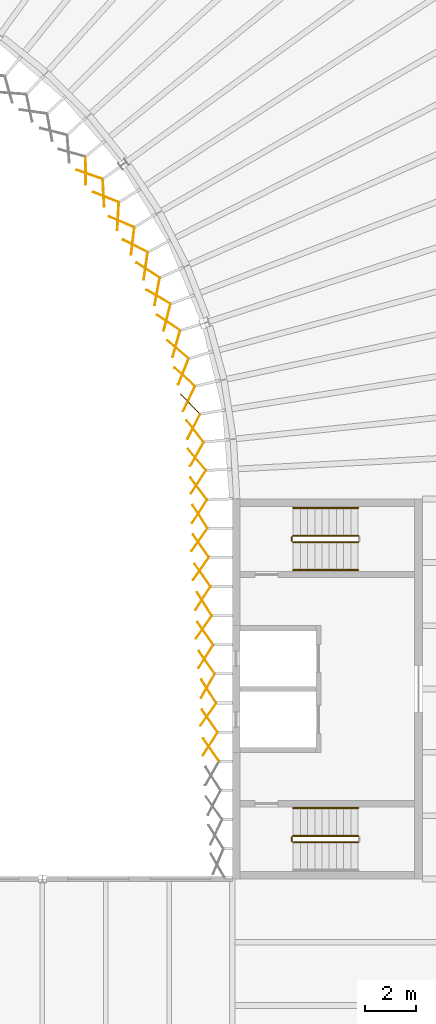
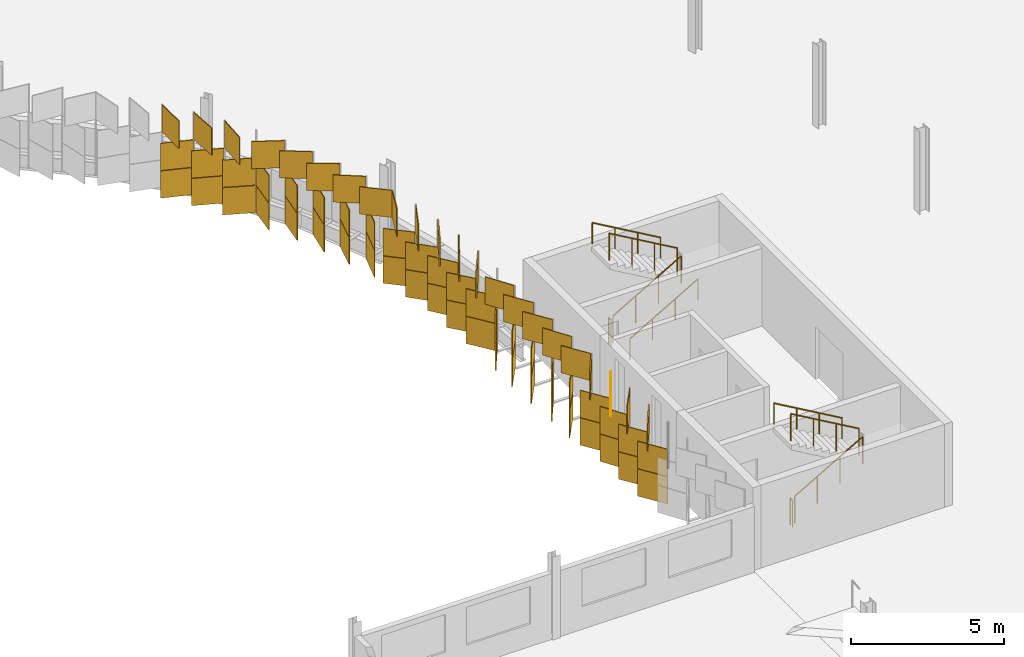
# One storey, part 190 of 198: 66 coverings, 9 railings.
"""IFC4 building model written with IfcOpenShell, lengths in metres."""

from ifc_helpers import new_model, si_unit, direction, frame, origin, origin_2d, place, context, subcontext, project, spatial, rectangle, circle, extrude, material, layer, layer_set, type_object, element, save


model = new_model("IFC4")

# Units and contexts
model_context = context("Model", 3, precision=1e-05, world=origin(), true_north=direction((0.0, 1.0)))
body_context = subcontext(model_context, "Body", "Model", "MODEL_VIEW")
ifc_project = project(units=[si_unit("LENGTHUNIT", "METRE"), si_unit("AREAUNIT", "SQUARE_METRE"), si_unit("VOLUMEUNIT", "CUBIC_METRE"), si_unit("PLANEANGLEUNIT", "RADIAN"), si_unit("MASSUNIT", "GRAM", prefix="KILO")], contexts=[model_context])

# Site, building, storey
site_placement = place(None, origin())
site = spatial("IfcSite", under=ifc_project, at=site_placement, CompositionType="ELEMENT")
building_placement = place(site_placement, origin())
building = spatial("IfcBuilding", under=site, at=building_placement, Name="Parallax Yard Mobility Hub", CompositionType="ELEMENT")
storey_placement = place(building_placement, frame((0.0, 0.0, 6.60009765625)))
storey = spatial("IfcBuildingStorey", under=building, at=storey_placement, Name="L02", CompositionType="ELEMENT", Elevation=6.60009765625)

# Coverings
ifc_material_1 = material(Name="Aluminium panel, champagne finish", Category="aluminium")
ifc_layer_1 = layer(ifc_material_1, 0.030029296875)
ifc_layer_set_1 = layer_set([ifc_layer_1], Name="Skin panel 30 degree turn, champagne finish")
covering_type_1 = type_object("IfcCoveringType", Name="Skin panel 30 degree turn, champagne finish", PredefinedType="CLADDING", material=ifc_layer_set_1)
covering_placement = place(storey_placement, frame((194.029052734375, 82.61669921875, 2.219970703125), z_axis=(0.0, 0.0, 1.0), x_axis=(-0.5, -0.866025403784, 0.0)))
element("IfcCovering", 1, at=covering_placement, inside=storey, type_object=covering_type_1, Name="Skin panel 30 bay 23.7 row 3 level L02", ObjectType="SCREEN", PredefinedType="CLADDING", context=body_context, shape_type="SweptSolid", body=[
    extrude(rectangle(XDim=1.080078125, YDim=0.030029296875, at=origin_2d()), origin(), (0.0, 0.0, 1.0), 1.080078125),
])
ifc_layer_2 = layer(ifc_material_1, 0.030029296875)
ifc_layer_set_2 = layer_set([ifc_layer_2], Name="Skin panel 32.5 degree turn, champagne finish")
covering_type_2 = type_object("IfcCoveringType", Name="Skin panel 32.5 degree turn, champagne finish", PredefinedType="CLADDING", material=ifc_layer_set_2)
for number, where, z_axis, x_axis, name in (
    (2, (190.001220703125, 101.924560546875, 1.119873046875), (0.0, 0.0, 1.0), (-0.927998912192, 0.372582902144, 0.0), "Skin panel 32.5 bay 21.1 row 2 level L02"),
    (3, (189.912109375, 102.078857421875, 2.219970703125), (0.0, 0.0, 1.0), (0.054514501638, -0.99851297894, 0.0), "Skin panel 32.5 bay 21.1 row 3 level L02"),
    (4, (191.577392578125, 99.1943359375, 1.119873046875), (0.0, 0.0, 1.0), (-0.141333197824, -0.989962083715, 0.0), "Skin panel 32.5 bay 21.4 row 2 level L02"),
    (5, (191.66650390625, 99.0400390625, 2.219970703125), (0.0, 0.0, 1.0), (-0.837480354951, 0.546467432763, 0.0), "Skin panel 32.5 bay 21.4 row 3 level L02"),
    (6, (192.7861328125, 96.119140625, 1.119873046875), (0.0, 0.0, 1.0), (-0.269340053953, -0.963045136708, 0.0), "Skin panel 32.5 bay 22.1 row 2 level L02"),
    (7, (192.851318359375, 95.905029296875, 2.219970703125), (0.0, 0.0, 1.0), (-0.758987281247, 0.651105449912, 0.0), "Skin panel 32.5 bay 22.1 row 3 level L02"),
    (8, (193.52685546875, 92.688232421875, 1.119873046875), (0.0, 0.0, 1.0), (-0.617379181571, 0.786665714369, 0.0), "Skin panel 32.5 bay 22.4 row 2 level L02"),
    (9, (193.47314453125, 92.860595703125, 2.219970703125), (0.0, 0.0, 1.0), (-0.452045546177, -0.891994856589, 0.0), "Skin panel 32.5 bay 22.4 row 3 level L02"),
    (10, (193.701416015625, 89.507568359375, 1.119873046875), (0.0, 0.0, 1.0), (-0.537299608347, -0.843391445813, 0.0), "Skin panel 32.5 bay 23.1 row 2 level L02"),
    (11, (193.720703125, 89.318603515625, 2.219970703125), (0.0, 0.0, 1.0), (-0.537299608347, 0.843391445813, 0.0), "Skin panel 32.5 bay 23.1 row 3 level L02"),
    (12, (193.835693359375, 86.079833984375, 1.119873046875), (0.0, 0.0, 1.0), (-0.537299608347, -0.843391445813, 0.0), "Skin panel 32.5 bay 23.4 row 2 level L02"),
    (13, (193.893310546875, 85.8681640625, 2.219970703125), (0.0, 0.0, 1.0), (-0.537299608347, 0.843391445813, 0.0), "Skin panel 32.5 bay 23.4 row 3 level L02"),
    (14, (193.95068359375, 83.779541015625, 2.219970703125), (0.0, 0.0, 1.0), (-0.537299608347, -0.843391445813, 0.0), "Skin panel 32.5 bay 23.6 row 3 level L02"),
    (15, (194.06591796875, 82.41748046875, 1.119873046875), (0.0, 0.0, 1.0), (-0.537299608347, 0.843391445813, 0.0), "Skin panel 32.5 bay 23.7 row 2 level L02"),
    (16, (194.123291015625, 80.328857421875, 2.219970703125), (0.0, 0.0, 1.0), (-0.537299608347, -0.843391445813, 0.0), "Skin panel 32.5 bay 23.9 row 3 level L02"),
):
    element("IfcCovering", number, at=place(storey_placement, frame(where, z_axis=z_axis, x_axis=x_axis)), inside=storey, type_object=covering_type_2, Name=name, ObjectType="SCREEN", PredefinedType="CLADDING", context=body_context, shape_type="SweptSolid", body=[
        extrude(rectangle(XDim=1.080078125, YDim=0.030029296875, at=origin_2d()), origin(), (0.0, 0.0, 1.0), 1.080078125),
    ])
ifc_material_2 = material(Name="Aluminium panel, light oak finish", Category="aluminium")
ifc_layer_3 = layer(ifc_material_2, 0.030029296875)
ifc_layer_set_3 = layer_set([ifc_layer_3], Name="Skin panel 32.5 degree turn, oak finish")
covering_type_3 = type_object("IfcCoveringType", Name="Skin panel 32.5 degree turn, oak finish", PredefinedType="CLADDING", material=ifc_layer_set_3)
for number, where, z_axis, x_axis, name in (
    (17, (190.001220703125, 101.924560546875, 0.019775390625), (0.0, 0.0, 1.0), (-0.927998912192, 0.372582902144, 0.0), "Skin panel 32.5 bay 21.1 row 1 level L02"),
    (18, (191.577392578125, 99.1943359375, 0.019775390625), (0.0, 0.0, 1.0), (-0.141333197824, -0.989962083715, 0.0), "Skin panel 32.5 bay 21.4 row 1 level L02"),
    (19, (192.7861328125, 96.119140625, 0.019775390625), (0.0, 0.0, 1.0), (-0.269340053953, -0.963045136708, 0.0), "Skin panel 32.5 bay 22.1 row 1 level L02"),
    (20, (193.52685546875, 92.688232421875, 0.019775390625), (0.0, 0.0, 1.0), (-0.617379181571, 0.786665714369, 0.0), "Skin panel 32.5 bay 22.4 row 1 level L02"),
    (21, (193.701416015625, 89.507568359375, 0.019775390625), (0.0, 0.0, 1.0), (-0.537299608347, -0.843391445813, 0.0), "Skin panel 32.5 bay 23.1 row 1 level L02"),
    (22, (193.835693359375, 86.079833984375, 0.019775390625), (0.0, 0.0, 1.0), (-0.537299608347, -0.843391445813, 0.0), "Skin panel 32.5 bay 23.4 row 1 level L02"),
    (23, (194.06591796875, 82.41748046875, 0.019775390625), (0.0, 0.0, 1.0), (-0.537299608347, 0.843391445813, 0.0), "Skin panel 32.5 bay 23.7 row 1 level L02"),
):
    element("IfcCovering", number, at=place(storey_placement, frame(where, z_axis=z_axis, x_axis=x_axis)), inside=storey, type_object=covering_type_3, Name=name, ObjectType="SCREEN", PredefinedType="CLADDING", context=body_context, shape_type="SweptSolid", body=[
        extrude(rectangle(XDim=1.080078125, YDim=0.030029296875, at=origin_2d()), origin(), (0.0, 0.0, 1.0), 1.080078125),
    ])
ifc_layer_4 = layer(ifc_material_1, 0.030029296875)
ifc_layer_set_4 = layer_set([ifc_layer_4], Name="Skin panel 35 degree turn, champagne finish")
covering_type_4 = type_object("IfcCoveringType", Name="Skin panel 35 degree turn, champagne finish", PredefinedType="CLADDING", material=ifc_layer_set_4)
for number, where, z_axis, x_axis, name in (
    (24, (189.35693359375, 102.81884765625, 1.119873046875), (0.0, 0.0, 1.0), (-0.94336750079, 0.331749541753, 0.0), "Skin panel 35 bay 20.6 row 2 level L02"),
    (25, (189.208740234375, 102.963134765625, 2.219970703125), (0.0, 0.0, 1.0), (0.010908091494, -0.999940505, 0.0), "Skin panel 35 bay 20.6 row 3 level L02"),
    (26, (190.619384765625, 100.94873046875, 1.119873046875), (0.0, 0.0, 1.0), (-0.919650220405, 0.392738427085, 0.0), "Skin panel 35 bay 21.2 row 2 level L02"),
    (27, (190.487060546875, 101.16162109375, 2.219970703125), (0.0, 0.0, 1.0), (-0.054514501638, -0.99851297894, 0.0), "Skin panel 35 bay 21.2 row 3 level L02"),
    (28, (191.064453125, 100.177978515625, 1.119873046875), (0.0, 0.0, 1.0), (-0.119703655305, -0.992809667009, 0.0), "Skin panel 35 bay 21.3 row 2 level L02"),
    (29, (191.159912109375, 99.99658203125, 2.219970703125), (0.0, 0.0, 1.0), (-0.891994856589, 0.452045546177, 0.0), "Skin panel 35 bay 21.3 row 3 level L02"),
    (30, (192.02978515625, 98.189208984375, 1.119873046875), (0.0, 0.0, 1.0), (-0.184380219543, -0.982854991665, 0.0), "Skin panel 35 bay 21.5 row 2 level L02"),
    (31, (192.080810546875, 97.98876953125, 2.219970703125), (0.0, 0.0, 1.0), (-0.860519833856, 0.509416936841, 0.0), "Skin panel 35 bay 21.5 row 3 level L02"),
    (32, (192.42138671875, 97.16650390625, 1.119873046875), (0.0, 0.0, 1.0), (-0.248267239374, -0.968691580357, 0.0), "Skin panel 35 bay 21.6 row 2 level L02"),
    (33, (192.476806640625, 96.968994140625, 2.219970703125), (0.0, 0.0, 1.0), (-0.825359933085, 0.564606925974, 0.0), "Skin panel 35 bay 21.6 row 3 level L02"),
    (34, (193.111328125, 94.826416015625, 1.119873046875), (0.0, 0.0, 1.0), (-0.744602872292, 0.66750772473, 0.0), "Skin panel 35 bay 22.2 row 2 level L02"),
    (35, (193.066162109375, 95.0263671875, 2.219970703125), (0.0, 0.0, 1.0), (-0.372582902144, -0.927998912192, 0.0), "Skin panel 35 bay 22.2 row 3 level L02"),
    (36, (193.33544921875, 93.754638671875, 1.119873046875), (0.0, 0.0, 1.0), (-0.699351526403, 0.714777897334, 0.0), "Skin panel 35 bay 22.3 row 2 level L02"),
    (37, (193.284912109375, 93.953369140625, 2.219970703125), (0.0, 0.0, 1.0), (-0.43247920633, -0.901643907589, 0.0), "Skin panel 35 bay 22.3 row 3 level L02"),
    (38, (193.60009765625, 91.560791015625, 1.119873046875), (0.0, 0.0, 1.0), (-0.651105449912, 0.758987281247, 0.0), "Skin panel 35 bay 22.5 row 2 level L02"),
    (39, (193.597412109375, 91.765869140625, 2.219970703125), (0.0, 0.0, 1.0), (-0.490523568159, -0.87142792535, 0.0), "Skin panel 35 bay 22.5 row 3 level L02"),
    (40, (193.66650390625, 90.421875, 1.119873046875), (0.0, 0.0, 1.0), (-0.600071239924, 0.7999465651, 0.0), "Skin panel 35 bay 22.6 row 2 level L02"),
    (41, (193.658203125, 90.672607421875, 2.219970703125), (0.0, 0.0, 1.0), (-0.546467432763, -0.837480354951, 0.0), "Skin panel 35 bay 22.6 row 3 level L02"),
    (42, (193.70068359375, 88.393798828125, 1.119873046875), (0.0, 0.0, 1.0), (-0.573576436351, -0.819152044289, 0.0), "Skin panel 35 bay 23.2 row 2 level L02"),
    (43, (193.75830078125, 88.155029296875, 2.219970703125), (0.0, 0.0, 1.0), (-0.573576436351, 0.819152044289, 0.0), "Skin panel 35 bay 23.2 row 3 level L02"),
    (44, (193.75830078125, 87.243408203125, 1.119873046875), (0.0, 0.0, 1.0), (-0.573576436351, -0.819152044289, 0.0), "Skin panel 35 bay 23.3 row 2 level L02"),
    (45, (193.815673828125, 87.0048828125, 2.219970703125), (0.0, 0.0, 1.0), (-0.573576436351, 0.819152044289, 0.0), "Skin panel 35 bay 23.3 row 3 level L02"),
    (46, (193.873291015625, 84.943115234375, 1.119873046875), (0.0, 0.0, 1.0), (-0.573576436351, -0.819152044289, 0.0), "Skin panel 35 bay 23.5 row 2 level L02"),
    (47, (193.9306640625, 84.70458984375, 2.219970703125), (0.0, 0.0, 1.0), (-0.573576436351, 0.819152044289, 0.0), "Skin panel 35 bay 23.5 row 3 level L02"),
    (48, (193.98828125, 83.55419921875, 1.119873046875), (0.0, 0.0, 1.0), (-0.573576436351, 0.819152044289, 0.0), "Skin panel 35 bay 23.6 row 2 level L02"),
    (49, (194.103271484375, 81.25390625, 1.119873046875), (0.0, 0.0, 1.0), (-0.573576436351, 0.819152044289, 0.0), "Skin panel 35 bay 23.8 row 2 level L02"),
    (50, (194.045654296875, 81.49267578125, 2.219970703125), (0.0, 0.0, 1.0), (-0.573576436351, -0.819152044289, 0.0), "Skin panel 35 bay 23.8 row 3 level L02"),
    (51, (194.16064453125, 80.103759765625, 1.119873046875), (0.0, 0.0, 1.0), (-0.573576436351, 0.819152044289, 0.0), "Skin panel 35 bay 23.9 row 2 level L02"),
):
    element("IfcCovering", number, at=place(storey_placement, frame(where, z_axis=z_axis, x_axis=x_axis)), inside=storey, type_object=covering_type_4, Name=name, ObjectType="SCREEN", PredefinedType="CLADDING", context=body_context, shape_type="SweptSolid", body=[
        extrude(rectangle(XDim=1.080078125, YDim=0.030029296875, at=origin_2d()), origin(), (0.0, 0.0, 1.0), 1.080078125),
    ])
ifc_layer_5 = layer(ifc_material_2, 0.030029296875)
ifc_layer_set_5 = layer_set([ifc_layer_5], Name="Skin panel 35 degree turn, oak finish")
covering_type_5 = type_object("IfcCoveringType", Name="Skin panel 35 degree turn, oak finish", PredefinedType="CLADDING", material=ifc_layer_set_5)
for number, where, z_axis, x_axis, name in (
    (52, (189.35693359375, 102.81884765625, 0.019775390625), (0.0, 0.0, 1.0), (-0.94336750079, 0.331749541753, 0.0), "Skin panel 35 bay 20.6 row 1 level L02"),
    (53, (190.619384765625, 100.94873046875, 0.019775390625), (0.0, 0.0, 1.0), (-0.919650220405, 0.392738427085, 0.0), "Skin panel 35 bay 21.2 row 1 level L02"),
    (54, (191.064453125, 100.177978515625, 0.019775390625), (0.0, 0.0, 1.0), (-0.119703655305, -0.992809667009, 0.0), "Skin panel 35 bay 21.3 row 1 level L02"),
    (55, (192.02978515625, 98.189208984375, 0.019775390625), (0.0, 0.0, 1.0), (-0.184380219543, -0.982854991665, 0.0), "Skin panel 35 bay 21.5 row 1 level L02"),
    (56, (192.42138671875, 97.16650390625, 0.019775390625), (0.0, 0.0, 1.0), (-0.248267239374, -0.968691580357, 0.0), "Skin panel 35 bay 21.6 row 1 level L02"),
    (57, (193.111328125, 94.826416015625, 0.019775390625), (0.0, 0.0, 1.0), (-0.744602872292, 0.66750772473, 0.0), "Skin panel 35 bay 22.2 row 1 level L02"),
    (58, (193.33544921875, 93.754638671875, 0.019775390625), (0.0, 0.0, 1.0), (-0.699351526403, 0.714777897334, 0.0), "Skin panel 35 bay 22.3 row 1 level L02"),
    (59, (193.60009765625, 91.560791015625, 0.019775390625), (0.0, 0.0, 1.0), (-0.651105449912, 0.758987281247, 0.0), "Skin panel 35 bay 22.5 row 1 level L02"),
    (60, (193.66650390625, 90.421875, 0.019775390625), (0.0, 0.0, 1.0), (-0.600071239924, 0.7999465651, 0.0), "Skin panel 35 bay 22.6 row 1 level L02"),
    (61, (193.70068359375, 88.393798828125, 0.019775390625), (0.0, 0.0, 1.0), (-0.573576436351, -0.819152044289, 0.0), "Skin panel 35 bay 23.2 row 1 level L02"),
    (62, (193.75830078125, 87.243408203125, 0.019775390625), (0.0, 0.0, 1.0), (-0.573576436351, -0.819152044289, 0.0), "Skin panel 35 bay 23.3 row 1 level L02"),
    (63, (193.873291015625, 84.943115234375, 0.019775390625), (0.0, 0.0, 1.0), (-0.573576436351, -0.819152044289, 0.0), "Skin panel 35 bay 23.5 row 1 level L02"),
    (64, (193.98828125, 83.55419921875, 0.019775390625), (0.0, 0.0, 1.0), (-0.573576436351, 0.819152044289, 0.0), "Skin panel 35 bay 23.6 row 1 level L02"),
    (65, (194.103271484375, 81.25390625, 0.019775390625), (0.0, 0.0, 1.0), (-0.573576436351, 0.819152044289, 0.0), "Skin panel 35 bay 23.8 row 1 level L02"),
    (66, (194.16064453125, 80.103759765625, 0.019775390625), (0.0, 0.0, 1.0), (-0.573576436351, 0.819152044289, 0.0), "Skin panel 35 bay 23.9 row 1 level L02"),
):
    element("IfcCovering", number, at=place(storey_placement, frame(where, z_axis=z_axis, x_axis=x_axis)), inside=storey, type_object=covering_type_5, Name=name, ObjectType="SCREEN", PredefinedType="CLADDING", context=body_context, shape_type="SweptSolid", body=[
        extrude(rectangle(XDim=1.080078125, YDim=0.030029296875, at=origin_2d()), origin(), (0.0, 0.0, 1.0), 1.080078125),
    ])

# Railings
ifc_material_3 = material(Name="Steel ASTM A36", Category="steel")
railing_type_1 = type_object("IfcRailingType", Name="Stair guard 1100", PredefinedType="GUARDRAIL", material=ifc_material_3)
railing_1_placement = place(storey_placement, frame((197.39990234375, 76.449951171875, 0.164794921875)))
element("IfcRailing", 67, at=railing_1_placement, inside=storey, type_object=railing_type_1, Name="L02 ST7 stair guard 1", PredefinedType="GUARDRAIL", context=body_context, shape_type="SweptSolid", body=[
    extrude(circle(Radius=0.02392578125, at=origin_2d()), frame((0.0, 0.0, 1.076171875), z_axis=(0.865426285481, 0.0, 0.501036270542), x_axis=(0.0, 1.0, 0.0)), (0.0, 0.0, 1.0), 2.964111328125),
    extrude(circle(Radius=0.02099609375, at=origin_2d()), origin(), (0.0, 0.0, 1.0), 1.052001953125),
    extrude(circle(Radius=0.02099609375, at=origin_2d()), frame((0.85498046875, 0.0, 0.4951171875)), (0.0, 0.0, 1.0), 1.052001953125),
    extrude(circle(Radius=0.02099609375, at=origin_2d()), frame((1.710205078125, 0.0, 0.989990234375)), (0.0, 0.0, 1.0), 1.052001953125),
    extrude(circle(Radius=0.02099609375, at=origin_2d()), frame((2.565185546875, 0.0, 1.485107421875)), (0.0, 0.0, 1.0), 1.052001953125),
])
railing_2_placement = place(storey_placement, frame((199.965087890625, 76.699951171875, 1.81494140625)))
element("IfcRailing", 68, at=railing_2_placement, inside=storey, type_object=railing_type_1, Name="L02 ST7 stair guard 3", PredefinedType="GUARDRAIL", context=body_context, shape_type="SweptSolid", body=[
    extrude(circle(Radius=0.02392578125, at=origin_2d()), frame((0.0, 0.0, 1.076171875), z_axis=(-0.865461999751, 0.0, 0.500974577186), x_axis=(0.0, -1.0, 0.0)), (0.0, 0.0, 1.0), 2.9638671875),
    extrude(circle(Radius=0.02099609375, at=origin_2d()), origin(), (0.0, 0.0, 1.0), 1.052001953125),
    extrude(circle(Radius=0.02099609375, at=origin_2d()), frame((-0.85498046875, 0.0, 0.494873046875)), (0.0, 0.0, 1.0), 1.052001953125),
    extrude(circle(Radius=0.02099609375, at=origin_2d()), frame((-1.710205078125, 0.0, 0.989990234375)), (0.0, 0.0, 1.0), 1.052001953125),
    extrude(circle(Radius=0.02099609375, at=origin_2d()), frame((-2.565185546875, 0.0, 1.48486328125)), (0.0, 0.0, 1.0), 1.052001953125),
])
railing_3_placement = place(storey_placement, frame((197.35009765625, 76.5, 0.0)))
element("IfcRailing", 69, at=railing_3_placement, inside=storey, type_object=railing_type_1, Name="L02 ST7 stair guard 4", PredefinedType="GUARDRAIL", context=body_context, shape_type="SweptSolid", body=[
    extrude(circle(Radius=0.02392578125, at=origin_2d()), frame((0.0, 0.0, 1.076171875), z_axis=(0.0, 1.0, 0.0), x_axis=(-1.0, 0.0, 0.0)), (0.0, 0.0, 1.0), 0.14990234375),
    extrude(circle(Radius=0.02099609375, at=origin_2d()), origin(), (0.0, 0.0, 1.0), 1.052001953125),
    extrude(circle(Radius=0.02099609375, at=origin_2d()), frame((0.0, 0.14990234375, 0.0)), (0.0, 0.0, 1.0), 1.052001953125),
])
railing_4_placement = place(storey_placement, frame((197.39990234375, 88.300048828125, 0.164794921875)))
element("IfcRailing", 70, at=railing_4_placement, inside=storey, type_object=railing_type_1, Name="L02 ST8 stair guard 1", PredefinedType="GUARDRAIL", context=body_context, shape_type="SweptSolid", body=[
    extrude(circle(Radius=0.02392578125, at=origin_2d()), frame((0.0, 0.0, 1.076171875), z_axis=(0.865426285481, 0.0, 0.501036270542), x_axis=(0.0, 1.0, 0.0)), (0.0, 0.0, 1.0), 2.964111328125),
    extrude(circle(Radius=0.02099609375, at=origin_2d()), origin(), (0.0, 0.0, 1.0), 1.052001953125),
    extrude(circle(Radius=0.02099609375, at=origin_2d()), frame((0.85498046875, 0.0, 0.4951171875)), (0.0, 0.0, 1.0), 1.052001953125),
    extrude(circle(Radius=0.02099609375, at=origin_2d()), frame((1.710205078125, 0.0, 0.989990234375)), (0.0, 0.0, 1.0), 1.052001953125),
    extrude(circle(Radius=0.02099609375, at=origin_2d()), frame((2.565185546875, 0.0, 1.485107421875)), (0.0, 0.0, 1.0), 1.052001953125),
])
railing_5_placement = place(storey_placement, frame((199.965087890625, 88.550048828125, 1.81494140625)))
element("IfcRailing", 71, at=railing_5_placement, inside=storey, type_object=railing_type_1, Name="L02 ST8 stair guard 3", PredefinedType="GUARDRAIL", context=body_context, shape_type="SweptSolid", body=[
    extrude(circle(Radius=0.02392578125, at=origin_2d()), frame((0.0, 0.0, 1.076171875), z_axis=(-0.865461999751, 0.0, 0.500974577186), x_axis=(0.0, -1.0, 0.0)), (0.0, 0.0, 1.0), 2.9638671875),
    extrude(circle(Radius=0.02099609375, at=origin_2d()), origin(), (0.0, 0.0, 1.0), 1.052001953125),
    extrude(circle(Radius=0.02099609375, at=origin_2d()), frame((-0.85498046875, 0.0, 0.494873046875)), (0.0, 0.0, 1.0), 1.052001953125),
    extrude(circle(Radius=0.02099609375, at=origin_2d()), frame((-1.710205078125, 0.0, 0.989990234375)), (0.0, 0.0, 1.0), 1.052001953125),
    extrude(circle(Radius=0.02099609375, at=origin_2d()), frame((-2.565185546875, 0.0, 1.48486328125)), (0.0, 0.0, 1.0), 1.052001953125),
])
railing_6_placement = place(storey_placement, frame((197.35009765625, 88.35009765625, 0.0)))
element("IfcRailing", 72, at=railing_6_placement, inside=storey, type_object=railing_type_1, Name="L02 ST8 stair guard 4", PredefinedType="GUARDRAIL", context=body_context, shape_type="SweptSolid", body=[
    extrude(circle(Radius=0.02392578125, at=origin_2d()), frame((0.0, 0.0, 1.076171875), z_axis=(0.0, 1.0, 0.0), x_axis=(-1.0, 0.0, 0.0)), (0.0, 0.0, 1.0), 0.14990234375),
    extrude(circle(Radius=0.02099609375, at=origin_2d()), origin(), (0.0, 0.0, 1.0), 1.052001953125),
    extrude(circle(Radius=0.02099609375, at=origin_2d()), frame((0.0, 0.14990234375, 0.0)), (0.0, 0.0, 1.0), 1.052001953125),
])
railing_type_2 = type_object("IfcRailingType", Name="Stair handrail", PredefinedType="HANDRAIL", material=ifc_material_3)
railing_7_placement = place(storey_placement, frame((199.965087890625, 77.800048828125, 1.81494140625)))
element("IfcRailing", 73, at=railing_7_placement, inside=storey, type_object=railing_type_2, Name="L02 ST7 stair handrail 2", PredefinedType="HANDRAIL", context=body_context, shape_type="SweptSolid", body=[
    extrude(circle(Radius=0.02392578125, at=origin_2d()), frame((0.0, 0.0, 0.8310546875), z_axis=(-0.865461999751, 0.0, 0.500974577186), x_axis=(0.0, -1.0, 0.0)), (0.0, 0.0, 1.0), 2.9638671875),
    extrude(circle(Radius=0.02099609375, at=origin_2d()), origin(), (0.0, 0.0, 1.0), 0.806884765625),
    extrude(circle(Radius=0.02099609375, at=origin_2d()), frame((-0.85498046875, 0.0, 0.494873046875)), (0.0, 0.0, 1.0), 0.806884765625),
    extrude(circle(Radius=0.02099609375, at=origin_2d()), frame((-1.710205078125, 0.0, 0.989990234375)), (0.0, 0.0, 1.0), 0.806884765625),
    extrude(circle(Radius=0.02099609375, at=origin_2d()), frame((-2.565185546875, 0.0, 1.48486328125)), (0.0, 0.0, 1.0), 0.806884765625),
])
railing_8_placement = place(storey_placement, frame((197.39990234375, 87.199951171875, 0.164794921875)))
element("IfcRailing", 74, at=railing_8_placement, inside=storey, type_object=railing_type_2, Name="L02 ST8 stair handrail 1", PredefinedType="HANDRAIL", context=body_context, shape_type="SweptSolid", body=[
    extrude(circle(Radius=0.02392578125, at=origin_2d()), frame((0.0, 0.0, 0.8310546875), z_axis=(0.865426285481, 0.0, 0.501036270542), x_axis=(0.0, 1.0, 0.0)), (0.0, 0.0, 1.0), 2.964111328125),
    extrude(circle(Radius=0.02099609375, at=origin_2d()), origin(), (0.0, 0.0, 1.0), 0.806884765625),
    extrude(circle(Radius=0.02099609375, at=origin_2d()), frame((0.85498046875, 0.0, 0.4951171875)), (0.0, 0.0, 1.0), 0.806884765625),
    extrude(circle(Radius=0.02099609375, at=origin_2d()), frame((1.710205078125, 0.0, 0.989990234375)), (0.0, 0.0, 1.0), 0.806884765625),
    extrude(circle(Radius=0.02099609375, at=origin_2d()), frame((2.565185546875, 0.0, 1.485107421875)), (0.0, 0.0, 1.0), 0.806884765625),
])
railing_9_placement = place(storey_placement, frame((199.965087890625, 89.64990234375, 1.81494140625)))
element("IfcRailing", 75, at=railing_9_placement, inside=storey, type_object=railing_type_2, Name="L02 ST8 stair handrail 2", PredefinedType="HANDRAIL", context=body_context, shape_type="SweptSolid", body=[
    extrude(circle(Radius=0.02392578125, at=origin_2d()), frame((0.0, 0.0, 0.8310546875), z_axis=(-0.865461999751, 0.0, 0.500974577186), x_axis=(0.0, -1.0, 0.0)), (0.0, 0.0, 1.0), 2.9638671875),
    extrude(circle(Radius=0.02099609375, at=origin_2d()), origin(), (0.0, 0.0, 1.0), 0.806884765625),
    extrude(circle(Radius=0.02099609375, at=origin_2d()), frame((-0.85498046875, 0.0, 0.494873046875)), (0.0, 0.0, 1.0), 0.806884765625),
    extrude(circle(Radius=0.02099609375, at=origin_2d()), frame((-1.710205078125, 0.0, 0.989990234375)), (0.0, 0.0, 1.0), 0.806884765625),
    extrude(circle(Radius=0.02099609375, at=origin_2d()), frame((-2.565185546875, 0.0, 1.48486328125)), (0.0, 0.0, 1.0), 0.806884765625),
])

save(model, "model.ifc")
